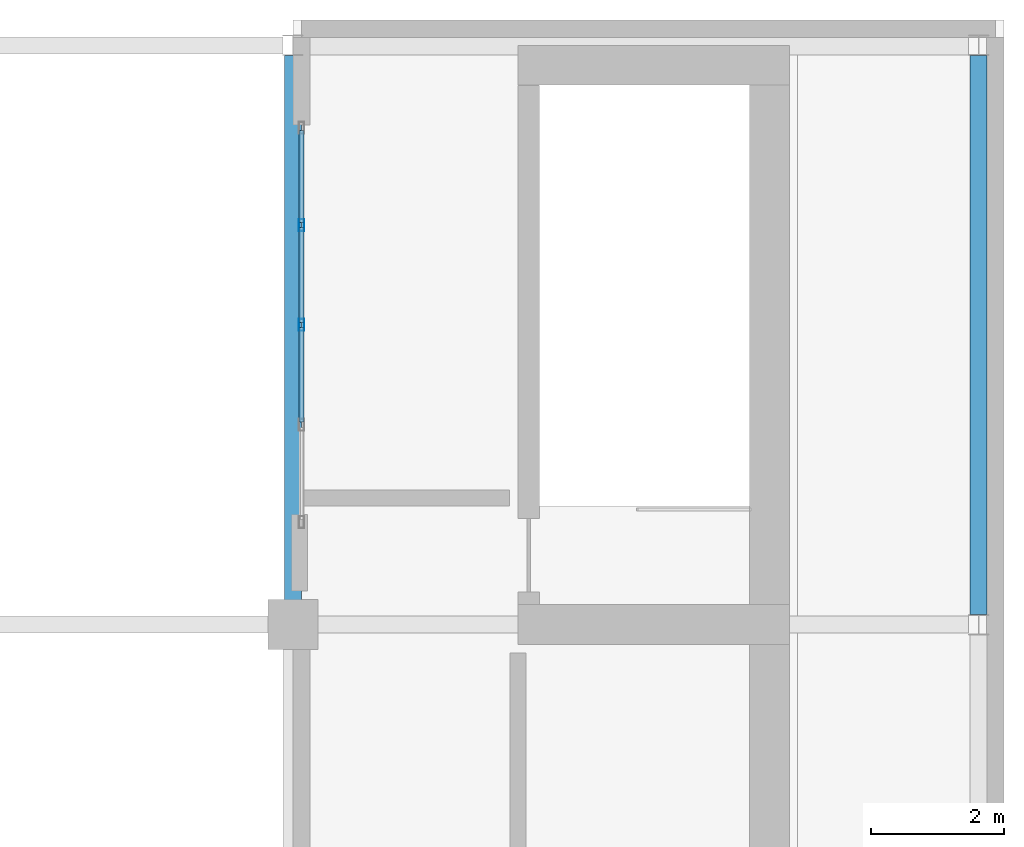
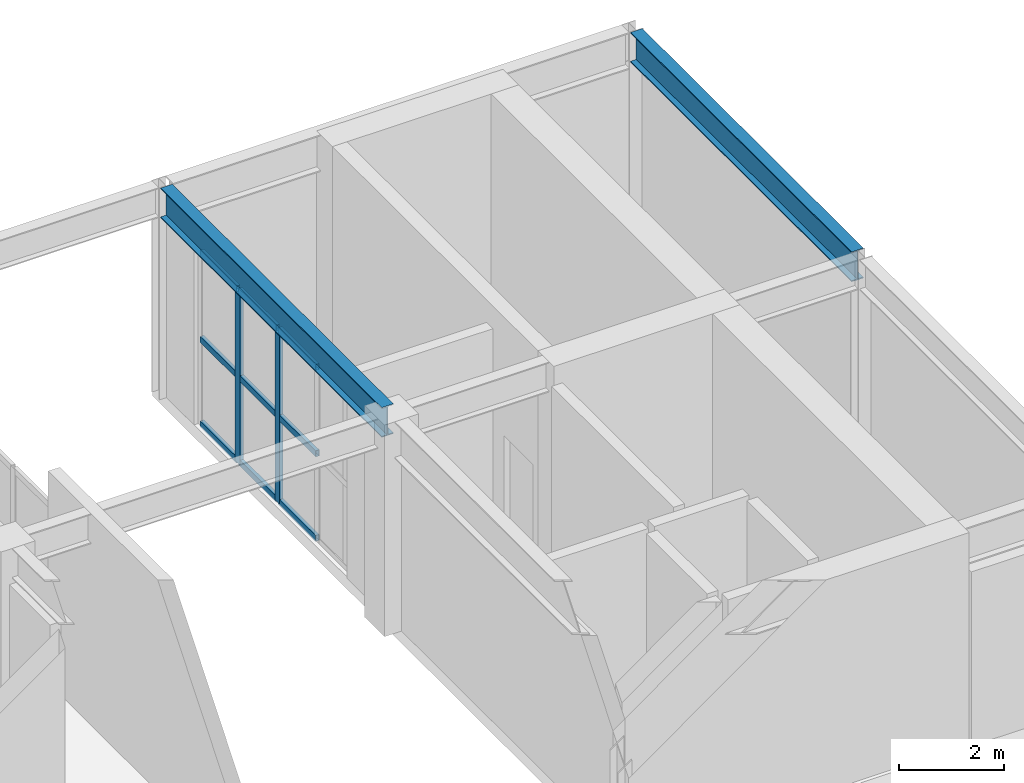
# One storey, part 4 of 9: 11 members, 2 beams, 1 element without a shape of its own.
"""IFC4 building model written with IfcOpenShell, lengths in metres."""

from ifc_helpers import new_model, si_unit, direction, frame, origin, origin_2d, place, context, subcontext, project, spatial, hollow_rectangle, i_section, extrude, material, layer, layer_set, material_profile, profile_set, type_object, element, aggregate, save


model = new_model("IFC4")

# Units and contexts
model_context = context("Model", 3, precision=1e-05, world=origin(), true_north=direction((0.0, 1.0)))
body_context = subcontext(model_context, "Body", "Model", "MODEL_VIEW")
ifc_project = project(units=[si_unit("LENGTHUNIT", "METRE"), si_unit("AREAUNIT", "SQUARE_METRE"), si_unit("VOLUMEUNIT", "CUBIC_METRE"), si_unit("PLANEANGLEUNIT", "RADIAN"), si_unit("MASSUNIT", "GRAM", prefix="KILO")], contexts=[model_context])

# Site, building, storey
site_placement = place(None, origin())
site = spatial("IfcSite", under=ifc_project, at=site_placement, CompositionType="ELEMENT")
building_placement = place(site_placement, origin())
building = spatial("IfcBuilding", under=site, at=building_placement, Name="Solanera Arch Residences", CompositionType="ELEMENT")
storey_placement = place(building_placement, frame((0.0, 0.0, 297.679931640625)))
storey = spatial("IfcBuildingStorey", under=building, at=storey_placement, Name="L84", CompositionType="ELEMENT", Elevation=297.679931640625)

# Curtain wall, members
ifc_material_1 = material(Name="Anodised Aluminium Alloy 6063-T6", Category="aluminium")
ifc_layer = layer(ifc_material_1, 0.179931640625)
ifc_layer_set = layer_set([ifc_layer], Name="Anodised Aluminium Alloy 6063-T6")
curtain_wall_type = type_object("IfcCurtainWallType", Name="CW-6 Split-Top Crown Lantern Curtain Wall", PredefinedType="USERDEFINED", material=ifc_layer_set)
curtain_wall_placement = place(storey_placement, origin())
curtain_wall = element("IfcCurtainWall", 1, at=curtain_wall_placement, inside=storey, type_object=curtain_wall_type, Name="L84 E Crown Cleft Lantern Curtain Wall", ObjectType="CURTAIN_WALL", PredefinedType="USERDEFINED")
ifc_material_2 = material(Name="Anodised Aluminium Alloy 6063-T6", Category="aluminium")
ifc_material_profile_1 = material_profile(ifc_material_2, hollow_rectangle(XDim=0.080078125, YDim=0.179931640625, WallThickness=0.00390625, at=origin_2d()))
ifc_profile_set_1 = profile_set([ifc_material_profile_1], Name="Anodised Aluminium Alloy 6063-T6")
member_type_1 = type_object("IfcMemberType", Name="Curtain Wall Mullion ALU-MUL-80X180", PredefinedType="MULLION", material=ifc_profile_set_1)
member_1_placement = place(storey_placement, frame((29.330078125, 35.199951171875, 0.0), z_axis=(0.0, 0.0, 1.0), x_axis=(-1.0, 0.0, 0.0)))
member_1 = element("IfcMember", 2, at=member_1_placement, type_object=member_type_1, Name="CW-6 mullion 3", PredefinedType="MULLION", context=body_context, shape_type="SweptSolid", body=[
    extrude(hollow_rectangle(XDim=0.080078125, YDim=0.179931640625, WallThickness=0.00390625, at=origin_2d()), origin(), (0.0, 0.0, 1.0), 4.0400390625),
])
member_2_placement = place(storey_placement, frame((29.330078125, 36.699951171875, 0.0), z_axis=(0.0, 0.0, 1.0), x_axis=(-1.0, 0.0, 0.0)))
member_2 = element("IfcMember", 3, at=member_2_placement, type_object=member_type_1, Name="CW-6 mullion 4", PredefinedType="MULLION", context=body_context, shape_type="SweptSolid", body=[
    extrude(hollow_rectangle(XDim=0.080078125, YDim=0.179931640625, WallThickness=0.00390625, at=origin_2d()), origin(), (0.0, 0.0, 1.0), 4.0400390625),
])
ifc_material_3 = material(Name="Anodised Aluminium Alloy 6063-T6", Category="aluminium")
ifc_material_profile_2 = material_profile(ifc_material_3, hollow_rectangle(XDim=0.080078125, YDim=0.139892578125, WallThickness=0.00390625, at=origin_2d()))
ifc_profile_set_2 = profile_set([ifc_material_profile_2], Name="Anodised Aluminium Alloy 6063-T6")
member_type_2 = type_object("IfcMemberType", Name="Curtain Wall Transom ALU-TRN-80X140", PredefinedType="USERDEFINED", material=ifc_profile_set_2)
member_3_placement = place(storey_placement, frame((29.330078125, 33.739990234375, 0.0400390625), z_axis=(0.0, 1.0, 0.0), x_axis=(-1.0, 0.0, 0.0)))
member_3 = element("IfcMember", 4, at=member_3_placement, type_object=member_type_2, Name="CW-6 transom 2.1", ObjectType="TRANSOM", PredefinedType="USERDEFINED", context=body_context, shape_type="SweptSolid", body=[
    extrude(hollow_rectangle(XDim=0.080078125, YDim=0.139892578125, WallThickness=0.00390625, at=origin_2d()), origin(), (0.0, 0.0, 1.0), 1.419921875),
])
member_4_placement = place(storey_placement, frame((29.330078125, 33.739990234375, 2.0), z_axis=(0.0, 1.0, 0.0), x_axis=(-1.0, 0.0, 0.0)))
member_4 = element("IfcMember", 5, at=member_4_placement, type_object=member_type_2, Name="CW-6 transom 2.2", ObjectType="TRANSOM", PredefinedType="USERDEFINED", context=body_context, shape_type="SweptSolid", body=[
    extrude(hollow_rectangle(XDim=0.080078125, YDim=0.139892578125, WallThickness=0.00390625, at=origin_2d()), origin(), (0.0, 0.0, 1.0), 1.419921875),
])
member_5_placement = place(storey_placement, frame((29.330078125, 33.739990234375, 4.0), z_axis=(0.0, 1.0, 0.0), x_axis=(-1.0, 0.0, 0.0)))
member_5 = element("IfcMember", 6, at=member_5_placement, type_object=member_type_2, Name="CW-6 transom 2.3", ObjectType="TRANSOM", PredefinedType="USERDEFINED", context=body_context, shape_type="SweptSolid", body=[
    extrude(hollow_rectangle(XDim=0.080078125, YDim=0.139892578125, WallThickness=0.00390625, at=origin_2d()), origin(), (0.0, 0.0, 1.0), 1.419921875),
])
member_6_placement = place(storey_placement, frame((29.330078125, 35.239990234375, 0.0400390625), z_axis=(0.0, 1.0, 0.0), x_axis=(-1.0, 0.0, 0.0)))
member_6 = element("IfcMember", 7, at=member_6_placement, type_object=member_type_2, Name="CW-6 transom 3.1", ObjectType="TRANSOM", PredefinedType="USERDEFINED", context=body_context, shape_type="SweptSolid", body=[
    extrude(hollow_rectangle(XDim=0.080078125, YDim=0.139892578125, WallThickness=0.00390625, at=origin_2d()), origin(), (0.0, 0.0, 1.0), 1.419921875),
])
member_7_placement = place(storey_placement, frame((29.330078125, 35.239990234375, 2.0), z_axis=(0.0, 1.0, 0.0), x_axis=(-1.0, 0.0, 0.0)))
member_7 = element("IfcMember", 8, at=member_7_placement, type_object=member_type_2, Name="CW-6 transom 3.2", ObjectType="TRANSOM", PredefinedType="USERDEFINED", context=body_context, shape_type="SweptSolid", body=[
    extrude(hollow_rectangle(XDim=0.080078125, YDim=0.139892578125, WallThickness=0.00390625, at=origin_2d()), origin(), (0.0, 0.0, 1.0), 1.419921875),
])
member_8_placement = place(storey_placement, frame((29.330078125, 35.239990234375, 4.0), z_axis=(0.0, 1.0, 0.0), x_axis=(-1.0, 0.0, 0.0)))
member_8 = element("IfcMember", 9, at=member_8_placement, type_object=member_type_2, Name="CW-6 transom 3.3", ObjectType="TRANSOM", PredefinedType="USERDEFINED", context=body_context, shape_type="SweptSolid", body=[
    extrude(hollow_rectangle(XDim=0.080078125, YDim=0.139892578125, WallThickness=0.00390625, at=origin_2d()), origin(), (0.0, 0.0, 1.0), 1.419921875),
])
member_9_placement = place(storey_placement, frame((29.330078125, 36.739990234375, 0.0400390625), z_axis=(0.0, 1.0, 0.0), x_axis=(-1.0, 0.0, 0.0)))
member_9 = element("IfcMember", 10, at=member_9_placement, type_object=member_type_2, Name="CW-6 transom 4.1", ObjectType="TRANSOM", PredefinedType="USERDEFINED", context=body_context, shape_type="SweptSolid", body=[
    extrude(hollow_rectangle(XDim=0.080078125, YDim=0.139892578125, WallThickness=0.00390625, at=origin_2d()), origin(), (0.0, 0.0, 1.0), 1.380126953125),
])
member_10_placement = place(storey_placement, frame((29.330078125, 36.739990234375, 2.0), z_axis=(0.0, 1.0, 0.0), x_axis=(-1.0, 0.0, 0.0)))
member_10 = element("IfcMember", 11, at=member_10_placement, type_object=member_type_2, Name="CW-6 transom 4.2", ObjectType="TRANSOM", PredefinedType="USERDEFINED", context=body_context, shape_type="SweptSolid", body=[
    extrude(hollow_rectangle(XDim=0.080078125, YDim=0.139892578125, WallThickness=0.00390625, at=origin_2d()), origin(), (0.0, 0.0, 1.0), 1.380126953125),
])
member_11_placement = place(storey_placement, frame((29.330078125, 36.739990234375, 4.0), z_axis=(0.0, 1.0, 0.0), x_axis=(-1.0, 0.0, 0.0)))
member_11 = element("IfcMember", 12, at=member_11_placement, type_object=member_type_2, Name="CW-6 transom 4.3", ObjectType="TRANSOM", PredefinedType="USERDEFINED", context=body_context, shape_type="SweptSolid", body=[
    extrude(hollow_rectangle(XDim=0.080078125, YDim=0.139892578125, WallThickness=0.00390625, at=origin_2d()), origin(), (0.0, 0.0, 1.0), 1.380126953125),
])
aggregate(curtain_wall, [member_1, member_2, member_3, member_4, member_5, member_6, member_7, member_8, member_9, member_10, member_11])

# Beams
ifc_material_4 = material(Name="Steel S355 (ASTM A992 / A572 Grade 50)", Category="steel")
ifc_material_profile_3 = material_profile(ifc_material_4, i_section(OverallWidth=0.256103515625, OverallDepth=0.693115234375, WebThickness=0.014404296875, FlangeThickness=0.023681640625, at=origin_2d()))
ifc_profile_set_3 = profile_set([ifc_material_profile_3], Name="Steel S355 (ASTM A992 / A572 Grade 50)")
beam_type = type_object("IfcBeamType", Name="Primary Beam W690X170", PredefinedType="BEAM", material=ifc_profile_set_3)
for number, where, z_axis, x_axis, name in (
    (13, (29.199951171875, 30.85400390625, 4.552978515625), (0.0, 1.0, 0.0), (-1.0, 0.0, 0.0), "BM-L84-CR-E2"),
    (14, (39.5, 30.85400390625, 4.552978515625), (0.0, 1.0, 0.0), (-1.0, 0.0, 0.0), "BM-L84-CR-E4"),
):
    element("IfcBeam", number, at=place(storey_placement, frame(where, z_axis=z_axis, x_axis=x_axis)), inside=storey, type_object=beam_type, Name=name, PredefinedType="BEAM", context=body_context, shape_type="SweptSolid", body=[
        extrude(i_section(OverallWidth=0.256103515625, OverallDepth=0.693115234375, WebThickness=0.014404296875, FlangeThickness=0.023681640625, at=origin_2d()), origin(), (0.0, 0.0, 1.0), 8.39208984375),
    ])

save(model, "model.ifc")
